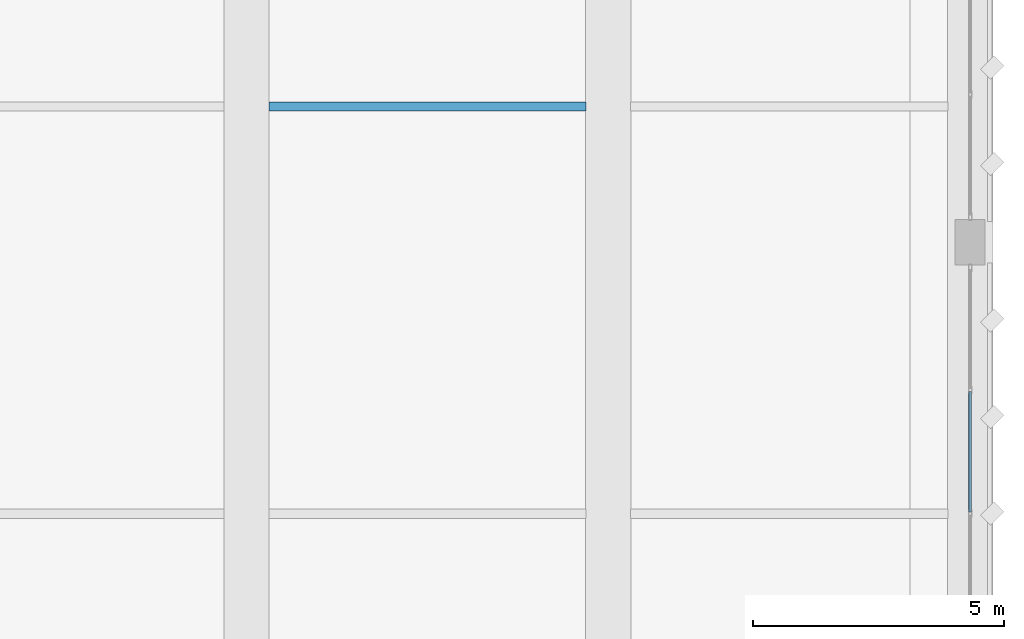
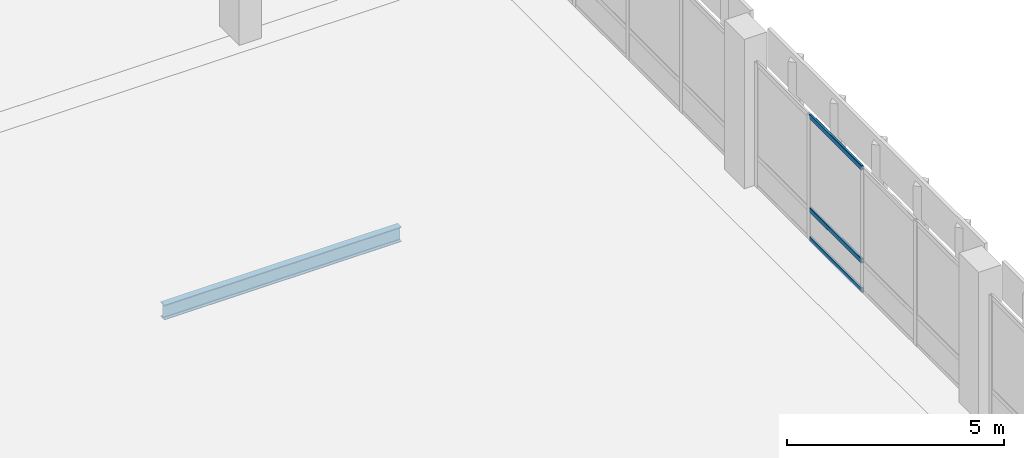
# One storey, part 85 of 158: 3 members, 1 beam, 1 element without a shape of its own.
"""IFC4 building model written with IfcOpenShell, lengths in metres."""

import ifcopenshell
import ifcopenshell.guid

model = None  # the IFC model being written
_history = None  # IfcOwnerHistory: only IFC2X3 demands one
_inside = {}  # id of a spatial element -> (the spatial element, [elements in it])
_under = {}  # id of a project, library or spatial element -> (it, [spatial elements below it])
_declared = {}  # id of a project -> (the project, [libraries it declares])
_typed = {}  # id of a type object -> (the type object, [elements of that type])
_made_of = {}  # id of a material, layer set ... -> (it, [elements and type objects made of it])


def new_model(schema):
    """Start an empty IFC model of exactly this schema.

    Asked for "IFC4X3", IfcOpenShell would pick the latest addendum, in which some entities
    have other attributes; the version numbers below select the first issue.
    IFC2X3 requires an IfcOwnerHistory on every rooted entity: one is made here for all.
    """
    global model, _history
    if schema == "IFC4X3":
        model = ifcopenshell.file(schema_version=(4, 3, 0, 0))
    else:
        model = ifcopenshell.file(schema=schema)
    _inside.clear()
    _under.clear()
    _declared.clear()
    _typed.clear()
    _made_of.clear()
    _history = None
    if model.schema == "IFC2X3":
        org = make("IfcOrganization", Name="unknown")
        user = make(
            "IfcPersonAndOrganization",
            ThePerson=make("IfcPerson", FamilyName="unknown"),
            TheOrganization=org,
        )
        app = make(
            "IfcApplication",
            ApplicationDeveloper=org,
            Version="unknown",
            ApplicationFullName="unknown",
            ApplicationIdentifier="unknown",
        )
        _history = make(
            "IfcOwnerHistory",
            OwningUser=user,
            OwningApplication=app,
            ChangeAction="ADDED",
            CreationDate=0,
        )
    return model


def make(cls, **values):
    """One entity of the class cls with the attributes given. An attribute that is None is left unset."""
    return model.create_entity(
        cls, **{name: value for name, value in values.items() if value is not None}
    )


def rooted(cls, **values):
    """An entity with a GlobalId (a new one), such as an element, a storey or a relation."""
    return make(cls, GlobalId=ifcopenshell.guid.new(), OwnerHistory=_history, **values)


def si_unit(unit_type, name, prefix=None):
    """IfcSIUnit, for example si_unit("LENGTHUNIT", "METRE", prefix="MILLI")."""
    return make("IfcSIUnit", UnitType=unit_type, Prefix=prefix, Name=name)


def assignment(units):
    """IfcUnitAssignment: the units of a project."""
    return None if units is None else make("IfcUnitAssignment", Units=units)


def point(xyz):
    """IfcCartesianPoint."""
    return None if xyz is None else make("IfcCartesianPoint", Coordinates=xyz)


def direction(xyz):
    """IfcDirection."""
    return None if xyz is None else make("IfcDirection", DirectionRatios=xyz)


def frame(location, z_axis=None, x_axis=None):
    """IfcAxis2Placement3D, a coordinate frame: its origin and axes. An axis left out is left unset."""
    return make(
        "IfcAxis2Placement3D",
        Location=point(location),
        Axis=direction(z_axis),
        RefDirection=direction(x_axis),
    )


def frame_2d(location, x_axis=None):
    """IfcAxis2Placement2D, a coordinate frame in the plane: its origin and x axis."""
    return make(
        "IfcAxis2Placement2D", Location=point(location), RefDirection=direction(x_axis)
    )


def origin():
    """The frame at (0, 0, 0) with its axes left unset."""
    return frame((0.0, 0.0, 0.0))


def origin_2d():
    """The frame at (0, 0) in the plane with its x axis left unset."""
    return frame_2d((0.0, 0.0))


def place(relative_to, where):
    """IfcLocalPlacement: puts the frame where relative to a parent placement (None: the world)."""
    return make(
        "IfcLocalPlacement", PlacementRelTo=relative_to, RelativePlacement=where
    )


def context(
    kind, dimensions, precision=None, world=None, true_north=None, identifier=None
):
    """IfcGeometricRepresentationContext, for example the 3D "Model" context."""
    return make(
        "IfcGeometricRepresentationContext",
        ContextIdentifier=identifier,
        ContextType=kind,
        CoordinateSpaceDimension=dimensions,
        Precision=precision,
        WorldCoordinateSystem=world,
        TrueNorth=true_north,
    )


def subcontext(parent, identifier, kind, view, scale=None):
    """IfcGeometricRepresentationSubContext, for example "Body" below "Model"."""
    return make(
        "IfcGeometricRepresentationSubContext",
        ContextIdentifier=identifier,
        ContextType=kind,
        ParentContext=parent,
        TargetScale=scale,
        TargetView=view,
    )


def project(units=None, contexts=None):
    """IfcProject with its units and contexts."""
    return rooted(
        "IfcProject",
        Name="project",
        RepresentationContexts=contexts,
        UnitsInContext=assignment(units),
    )


def spatial(cls, under=None, at=None, **own):
    """A site, building, storey or space (cls), placed at a placement, below another one or the project."""
    s = rooted(cls, ObjectPlacement=at, **own)
    if under is not None:
        _under.setdefault(under.id(), (under, []))[1].append(s)
    return s


def profile(cls, at=None, kind="AREA", **sizes):
    """A parametric profile (cls). Its sizes go by their IFC names, for example OverallWidth=200.0."""
    return make(cls, ProfileType=kind, Position=at, **sizes)


def hollow_rectangle(**sizes):
    """IfcRectangleHollowProfileDef."""
    return profile("IfcRectangleHollowProfileDef", **sizes)


def i_section(**sizes):
    """IfcIShapeProfileDef."""
    return profile("IfcIShapeProfileDef", **sizes)


def extrude(swept, where, along, depth):
    """IfcExtrudedAreaSolid: the profile swept, set in the frame where, extruded along a direction by depth."""
    return make(
        "IfcExtrudedAreaSolid",
        SweptArea=swept,
        Position=where,
        ExtrudedDirection=direction(along),
        Depth=depth,
    )


def shape(context_of_items, identifier, shape_type, items):
    """IfcShapeRepresentation: the items that make up one representation, for example the "Body"."""
    return make(
        "IfcShapeRepresentation",
        ContextOfItems=context_of_items,
        RepresentationIdentifier=identifier,
        RepresentationType=shape_type,
        Items=items,
    )


def material(Name=None, Category=None):
    """IfcMaterial."""
    return make("IfcMaterial", Name=Name, Category=Category)


def material_profile(
    of_material, cross_section, Name=None, Category=None, Priority=None
):
    """IfcMaterialProfile: a cross section and its material."""
    return make(
        "IfcMaterialProfile",
        Name=Name,
        Material=of_material,
        Profile=cross_section,
        Priority=Priority,
        Category=Category,
    )


def profile_set(profiles, Name=None, composite=None):
    """IfcMaterialProfileSet."""
    return make(
        "IfcMaterialProfileSet",
        Name=Name,
        MaterialProfiles=profiles,
        CompositeProfile=composite,
    )


def made_of(thing, what):
    """Note that an element or type object is made of a material, layer set ...; save() writes the relation."""
    if what is not None:
        _made_of.setdefault(what.id(), (what, []))[1].append(thing)
    return thing


def type_object(cls, material=None, **own):
    """A type object (cls), such as IfcWallType, which elements share."""
    return made_of(rooted(cls, **own), material)


def element(
    cls,
    number,
    at=None,
    inside=None,
    cuts=None,
    type_object=None,
    material=None,
    context=None,
    identifier="Body",
    shape_type=None,
    held_by="IfcProductDefinitionShape",
    body=None,
    shapes=None,
    **own,
):
    """One element of the class cls, such as IfcWall. Its Tag is "e" and its number.

    at: its placement. inside: the storey or other place that contains it. cuts: it is an
    opening in that element (IfcRelVoidsElement). A single representation is given by context,
    identifier, shape_type and body (its items); several are given by shapes. held_by: the class
    of the entity that holds the representations. save() writes the other relations.
    """
    e = rooted(cls, Tag="e%d" % number, ObjectPlacement=at, **own)
    if body is not None:
        shapes = [shape(context, identifier, shape_type, body)]
    if shapes is not None:
        e.Representation = make(held_by, Representations=shapes)
    if inside is not None:
        _inside.setdefault(inside.id(), (inside, []))[1].append(e)
    if cuts is not None:
        rooted(
            "IfcRelVoidsElement", RelatingBuildingElement=cuts, RelatedOpeningElement=e
        )
    if type_object is not None:
        _typed.setdefault(type_object.id(), (type_object, []))[1].append(e)
    return made_of(e, material)


def aggregate(whole, parts):
    """IfcRelAggregates: a whole, such as a stair, and the parts it consists of."""
    return rooted("IfcRelAggregates", RelatingObject=whole, RelatedObjects=parts)


def save(model, path):
    """Write the relations noted so far, then the file.

    IfcRelAggregates (storeys below a building ...), IfcRelContainedInSpatialStructure (elements
    in a storey), IfcRelDefinesByType, IfcRelAssociatesMaterial and IfcRelDeclares: one each for
    every whole, place, type object, material and project.
    """
    for whole, parts in _under.values():
        aggregate(whole, parts)
    for where, things in _inside.values():
        rooted(
            "IfcRelContainedInSpatialStructure",
            RelatedElements=things,
            RelatingStructure=where,
        )
    for kind, things in _typed.values():
        rooted("IfcRelDefinesByType", RelatedObjects=things, RelatingType=kind)
    for what, things in _made_of.values():
        rooted("IfcRelAssociatesMaterial", RelatedObjects=things, RelatingMaterial=what)
    for by, libraries in _declared.values():
        rooted("IfcRelDeclares", RelatingContext=by, RelatedDefinitions=libraries)
    model.write(path)


model = new_model("IFC4")

# Units and contexts
model_context = context("Model", 3, precision=1e-05, world=origin(), true_north=direction((0.0, 1.0)))
body_context = subcontext(model_context, "Body", "Model", "MODEL_VIEW")
ifc_project = project(units=[si_unit("LENGTHUNIT", "METRE"), si_unit("AREAUNIT", "SQUARE_METRE"), si_unit("VOLUMEUNIT", "CUBIC_METRE"), si_unit("PLANEANGLEUNIT", "RADIAN"), si_unit("MASSUNIT", "GRAM", prefix="KILO")], contexts=[model_context])

# Site, building, storey
site_placement = place(None, origin())
site = spatial("IfcSite", under=ifc_project, at=site_placement, CompositionType="ELEMENT")
building_placement = place(site_placement, origin())
building = spatial("IfcBuilding", under=site, at=building_placement, Name="Lusvemor Sports Hall", CompositionType="ELEMENT")
storey_placement = place(building_placement, frame((0.0, 0.0, 10.800048828125)))
storey = spatial("IfcBuildingStorey", under=building, at=storey_placement, Name="L02", CompositionType="ELEMENT", Elevation=10.800048828125)

# Beam
ifc_material_1 = material(Name="Steel S355", Category="steel")
ifc_material_profile_1 = material_profile(ifc_material_1, i_section(OverallWidth=0.180908203125, OverallDepth=0.4169921875, WebThickness=0.010986328125, FlangeThickness=0.018310546875, FilletRadius=0.01611328125, at=origin_2d()), Name="W410x85.0")
ifc_profile_set_1 = profile_set([ifc_material_profile_1], Name="Steel S355")
beam_type = type_object("IfcBeamType", Name="BEAM_ST_410H", PredefinedType="BEAM", material=ifc_profile_set_1)
beam_placement = place(storey_placement, frame((155.2451171875, 31.5, -0.5625), z_axis=(1.0, 0.0, 0.0), x_axis=(0.0, 1.0, 0.0)))
element("IfcBeam", 1, at=beam_placement, inside=storey, type_object=beam_type, Name="Transfer Deck Beam 18-19 Row 3", PredefinedType="BEAM", context=body_context, shape_type="SweptSolid", body=[
    extrude(i_section(OverallWidth=0.180908203125, OverallDepth=0.4169921875, WebThickness=0.010986328125, FlangeThickness=0.018310546875, FilletRadius=0.01611328125, at=origin_2d()), origin(), (0.0, 0.0, 1.0), 6.309814453125),
])

# Curtain wall, members
ifc_material_2 = material(Name="Thermally broken bronze-anodized aluminium", Category="aluminium")
curtain_wall_type = type_object("IfcCurtainWallType", Name="CW_COURT_C", PredefinedType="NOTDEFINED", material=ifc_material_2)
curtain_wall_placement = place(storey_placement, origin())
curtain_wall = element("IfcCurtainWall", 2, at=curtain_wall_placement, inside=storey, type_object=curtain_wall_type, Name="Curtain Wall CW-V2E-L02-2", PredefinedType="NOTDEFINED")
ifc_material_3 = material(Name="Thermally broken bronze-anodized aluminium", Category="aluminium")
ifc_material_profile_2 = material_profile(ifc_material_3, hollow_rectangle(XDim=0.06005859375, YDim=0.135009765625, WallThickness=0.00390625, InnerFilletRadius=0.00390625, OuterFilletRadius=0.008056640625, at=origin_2d()), Name="CWTRN135x60x4")
ifc_profile_set_2 = profile_set([ifc_material_profile_2], Name="Thermally broken bronze-anodized aluminium")
member_type = type_object("IfcMemberType", Name="CW_TRN_B", PredefinedType="USERDEFINED", material=ifc_profile_set_2)
member_1_placement = place(storey_placement, frame((169.199951171875, 25.827392578125, 0.030029296875), z_axis=(0.0, -1.0, 0.0), x_axis=(1.0, 0.0, 0.0)))
member_1 = element("IfcMember", 3, at=member_1_placement, type_object=member_type, Name="CW03 transom 2.1", ObjectType="TRANSOM", PredefinedType="USERDEFINED", context=body_context, shape_type="SweptSolid", body=[
    extrude(hollow_rectangle(XDim=0.06005859375, YDim=0.135009765625, WallThickness=0.00390625, InnerFilletRadius=0.00390625, OuterFilletRadius=0.008056640625, at=origin_2d()), origin(), (0.0, 0.0, 1.0), 2.394775390625),
])
member_2_placement = place(storey_placement, frame((169.199951171875, 25.827392578125, 0.849853515625), z_axis=(0.0, -1.0, 0.0), x_axis=(1.0, 0.0, 0.0)))
member_2 = element("IfcMember", 4, at=member_2_placement, type_object=member_type, Name="CW03 transom 2.2", ObjectType="TRANSOM", PredefinedType="USERDEFINED", context=body_context, shape_type="SweptSolid", body=[
    extrude(hollow_rectangle(XDim=0.06005859375, YDim=0.135009765625, WallThickness=0.00390625, InnerFilletRadius=0.00390625, OuterFilletRadius=0.008056640625, at=origin_2d()), origin(), (0.0, 0.0, 1.0), 2.394775390625),
])
member_3_placement = place(storey_placement, frame((169.199951171875, 25.827392578125, 3.469970703125), z_axis=(0.0, -1.0, 0.0), x_axis=(1.0, 0.0, 0.0)))
member_3 = element("IfcMember", 5, at=member_3_placement, type_object=member_type, Name="CW03 transom 2.3", ObjectType="TRANSOM", PredefinedType="USERDEFINED", context=body_context, shape_type="SweptSolid", body=[
    extrude(hollow_rectangle(XDim=0.06005859375, YDim=0.135009765625, WallThickness=0.00390625, InnerFilletRadius=0.00390625, OuterFilletRadius=0.008056640625, at=origin_2d()), origin(), (0.0, 0.0, 1.0), 2.394775390625),
])
aggregate(curtain_wall, [member_1, member_2, member_3])

save(model, "model.ifc")
